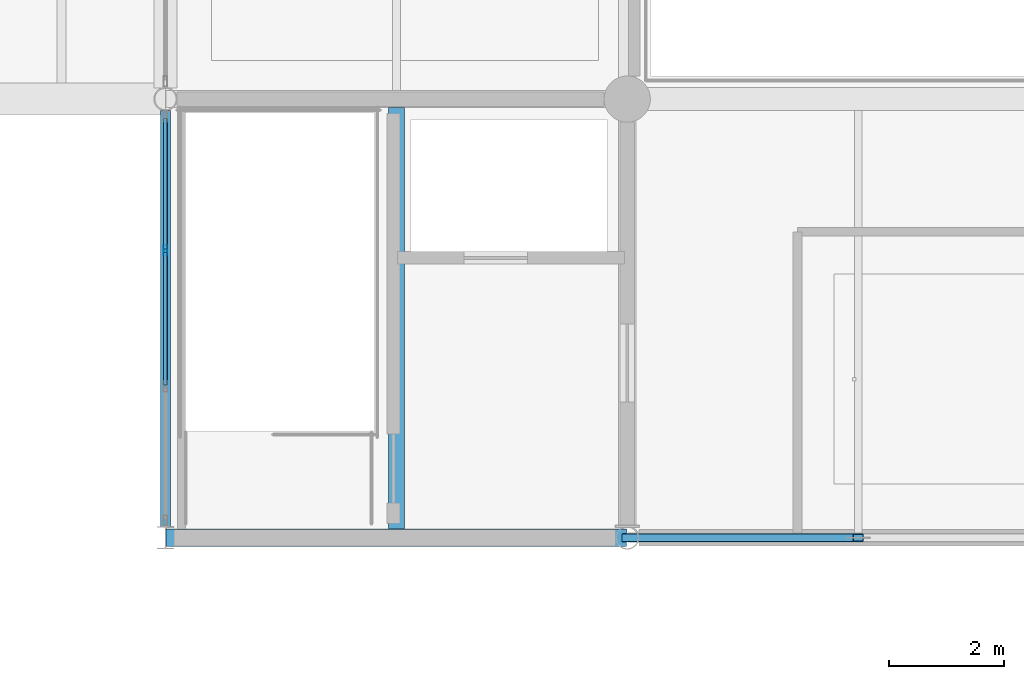
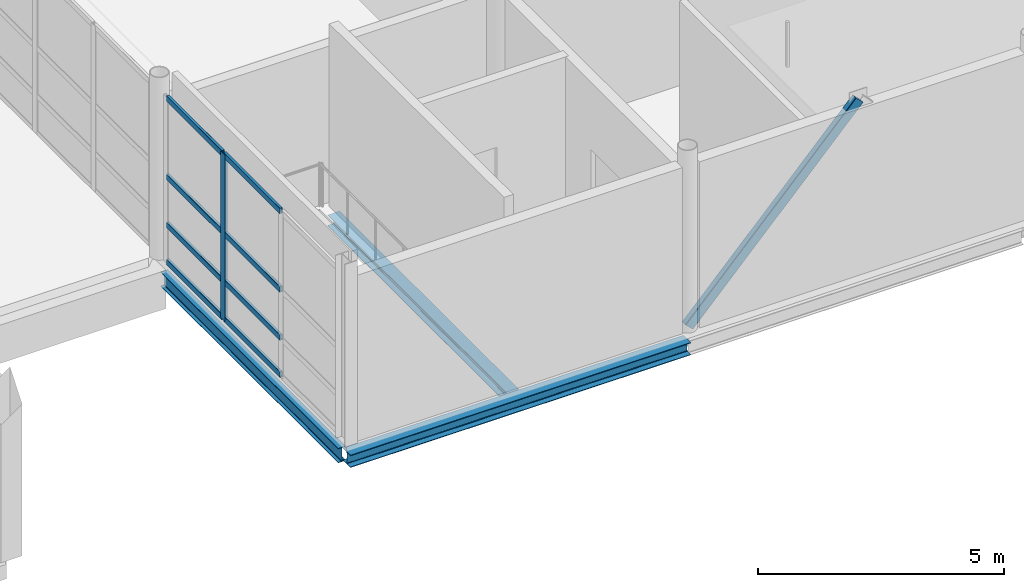
# One storey, part 27 of 107: 10 members, 3 beams, 1 element without a shape of its own.
"""IFC4 building model written with IfcOpenShell, lengths in metres."""

from ifc_helpers import new_model, si_unit, direction, frame, origin, origin_2d, place, context, subcontext, project, spatial, hollow_rectangle, i_section, extrude, material, material_profile, profile_set, type_object, element, aggregate, save


model = new_model("IFC4")

# Units and contexts
model_context = context("Model", 3, precision=1e-05, world=origin(), true_north=direction((0.0, 1.0)))
body_context = subcontext(model_context, "Body", "Model", "MODEL_VIEW")
ifc_project = project(units=[si_unit("LENGTHUNIT", "METRE"), si_unit("AREAUNIT", "SQUARE_METRE"), si_unit("VOLUMEUNIT", "CUBIC_METRE"), si_unit("PLANEANGLEUNIT", "RADIAN"), si_unit("MASSUNIT", "GRAM", prefix="KILO")], contexts=[model_context])

# Site, building, storey
site_placement = place(None, origin())
site = spatial("IfcSite", under=ifc_project, at=site_placement, CompositionType="ELEMENT")
building_placement = place(site_placement, origin())
building = spatial("IfcBuilding", under=site, at=building_placement, Name="Khelvaren Railside Concert Hall", CompositionType="ELEMENT")
storey_placement = place(building_placement, frame((0.0, 0.0, 15.0)))
storey = spatial("IfcBuildingStorey", under=building, at=storey_placement, Name="L03", CompositionType="ELEMENT", Elevation=15.0)

# Member
ifc_material_1 = material(Name="Steel S355", Category="steel")
ifc_material_profile_1 = material_profile(ifc_material_1, hollow_rectangle(XDim=0.14990234375, YDim=0.25, WallThickness=0.012451171875, InnerFilletRadius=0.012451171875, OuterFilletRadius=0.01904296875, at=origin_2d()), Name="RHS 250x150x12.5")
ifc_profile_set_1 = profile_set([ifc_material_profile_1], Name="Steel S355")
member_type_1 = type_object("IfcMemberType", Name="BR52", PredefinedType="BRACE", material=ifc_profile_set_1)
member_1_placement = place(storey_placement, frame((152.0, 0.0, 0.050048828125), z_axis=(0.687079015736, 0.0, 0.726582704263), x_axis=(0.0, 1.0, 0.0)))
element("IfcMember", 1, at=member_1_placement, inside=storey, type_object=member_type_1, Name="V2 L03 Seismic Chevron Brace 55", PredefinedType="BRACE", context=body_context, shape_type="SweptSolid", body=[
    extrude(hollow_rectangle(XDim=0.14990234375, YDim=0.25, WallThickness=0.012451171875, InnerFilletRadius=0.012451171875, OuterFilletRadius=0.01904296875, at=origin_2d()), origin(), (0.0, 0.0, 1.0), 5.82177734375),
])

# Curtain wall, members
ifc_material_2 = material(Name="Double-glazed low-E dark acoustic glass", Category="glass")
curtain_wall_type = type_object("IfcCurtainWallType", Name="CW94", PredefinedType="USERDEFINED", material=ifc_material_2)
curtain_wall_placement = place(storey_placement, origin())
curtain_wall = element("IfcCurtainWall", 2, at=curtain_wall_placement, inside=storey, type_object=curtain_wall_type, Name="Unitised Curtain Wall CW-V2-L03-W-0", ObjectType="UNITISED CURTAIN WALL", PredefinedType="USERDEFINED")
ifc_material_3 = material(Name="Anodised architectural aluminium 6063-T6", Category="aluminium")
ifc_material_profile_2 = material_profile(ifc_material_3, hollow_rectangle(XDim=0.06494140625, YDim=0.179931640625, WallThickness=0.00390625, InnerFilletRadius=0.001953125, OuterFilletRadius=0.00390625, at=origin_2d()), Name="CWM 65x180x4")
ifc_profile_set_2 = profile_set([ifc_material_profile_2], Name="Anodised architectural aluminium 6063-T6")
member_type_2 = type_object("IfcMemberType", Name="CWM63", PredefinedType="MULLION", material=ifc_profile_set_2)
member_2_placement = place(storey_placement, frame((144.0, 4.9736328125, 0.0), z_axis=(0.0, 0.0, 1.0), x_axis=(-1.0, 0.0, 0.0)))
member_2 = element("IfcMember", 3, at=member_2_placement, type_object=member_type_2, Name="CW94 mullion 3", PredefinedType="MULLION", context=body_context, shape_type="SweptSolid", body=[
    extrude(hollow_rectangle(XDim=0.06494140625, YDim=0.179931640625, WallThickness=0.00390625, InnerFilletRadius=0.001953125, OuterFilletRadius=0.00390625, at=origin_2d()), origin(), (0.0, 0.0, 1.0), 4.1201171875),
])
ifc_material_profile_3 = material_profile(ifc_material_3, hollow_rectangle(XDim=0.06494140625, YDim=0.139892578125, WallThickness=0.00390625, InnerFilletRadius=0.001953125, OuterFilletRadius=0.00390625, at=origin_2d()), Name="CWT 65x140x4")
ifc_profile_set_3 = profile_set([ifc_material_profile_3], Name="Anodised architectural aluminium 6063-T6")
member_type_3 = type_object("IfcMemberType", Name="CWT72", PredefinedType="USERDEFINED", material=ifc_profile_set_3)
member_3_placement = place(storey_placement, frame((144.0, 2.650634765625, 0.032470703125), z_axis=(0.0, 1.0, 0.0), x_axis=(-1.0, 0.0, 0.0)))
member_3 = element("IfcMember", 4, at=member_3_placement, type_object=member_type_3, Name="CW94 transom 2.1", ObjectType="TRANSOM", PredefinedType="USERDEFINED", context=body_context, shape_type="SweptSolid", body=[
    extrude(hollow_rectangle(XDim=0.06494140625, YDim=0.139892578125, WallThickness=0.00390625, InnerFilletRadius=0.001953125, OuterFilletRadius=0.00390625, at=origin_2d()), origin(), (0.0, 0.0, 1.0), 2.29052734375),
])
member_4_placement = place(storey_placement, frame((144.0, 2.650634765625, 0.949951171875), z_axis=(0.0, 1.0, 0.0), x_axis=(-1.0, 0.0, 0.0)))
member_4 = element("IfcMember", 5, at=member_4_placement, type_object=member_type_3, Name="CW94 transom 2.2", ObjectType="TRANSOM", PredefinedType="USERDEFINED", context=body_context, shape_type="SweptSolid", body=[
    extrude(hollow_rectangle(XDim=0.06494140625, YDim=0.139892578125, WallThickness=0.00390625, InnerFilletRadius=0.001953125, OuterFilletRadius=0.00390625, at=origin_2d()), origin(), (0.0, 0.0, 1.0), 2.29052734375),
])
member_5_placement = place(storey_placement, frame((144.0, 2.650634765625, 2.142333984375), z_axis=(0.0, 1.0, 0.0), x_axis=(-1.0, 0.0, 0.0)))
member_5 = element("IfcMember", 6, at=member_5_placement, type_object=member_type_3, Name="CW94 transom 2.3", ObjectType="TRANSOM", PredefinedType="USERDEFINED", context=body_context, shape_type="SweptSolid", body=[
    extrude(hollow_rectangle(XDim=0.06494140625, YDim=0.139892578125, WallThickness=0.00390625, InnerFilletRadius=0.001953125, OuterFilletRadius=0.00390625, at=origin_2d()), origin(), (0.0, 0.0, 1.0), 2.29052734375),
])
member_6_placement = place(storey_placement, frame((144.0, 2.650634765625, 4.08740234375), z_axis=(0.0, 1.0, 0.0), x_axis=(-1.0, 0.0, 0.0)))
member_6 = element("IfcMember", 7, at=member_6_placement, type_object=member_type_3, Name="CW94 transom 2.4", ObjectType="TRANSOM", PredefinedType="USERDEFINED", context=body_context, shape_type="SweptSolid", body=[
    extrude(hollow_rectangle(XDim=0.06494140625, YDim=0.139892578125, WallThickness=0.00390625, InnerFilletRadius=0.001953125, OuterFilletRadius=0.00390625, at=origin_2d()), origin(), (0.0, 0.0, 1.0), 2.29052734375),
])
member_7_placement = place(storey_placement, frame((144.0, 5.006103515625, 0.032470703125), z_axis=(0.0, 1.0, 0.0), x_axis=(-1.0, 0.0, 0.0)))
member_7 = element("IfcMember", 8, at=member_7_placement, type_object=member_type_3, Name="CW94 transom 3.1", ObjectType="TRANSOM", PredefinedType="USERDEFINED", context=body_context, shape_type="SweptSolid", body=[
    extrude(hollow_rectangle(XDim=0.06494140625, YDim=0.139892578125, WallThickness=0.00390625, InnerFilletRadius=0.001953125, OuterFilletRadius=0.00390625, at=origin_2d()), origin(), (0.0, 0.0, 1.0), 2.25830078125),
])
member_8_placement = place(storey_placement, frame((144.0, 5.006103515625, 0.949951171875), z_axis=(0.0, 1.0, 0.0), x_axis=(-1.0, 0.0, 0.0)))
member_8 = element("IfcMember", 9, at=member_8_placement, type_object=member_type_3, Name="CW94 transom 3.2", ObjectType="TRANSOM", PredefinedType="USERDEFINED", context=body_context, shape_type="SweptSolid", body=[
    extrude(hollow_rectangle(XDim=0.06494140625, YDim=0.139892578125, WallThickness=0.00390625, InnerFilletRadius=0.001953125, OuterFilletRadius=0.00390625, at=origin_2d()), origin(), (0.0, 0.0, 1.0), 2.25830078125),
])
member_9_placement = place(storey_placement, frame((144.0, 5.006103515625, 2.142333984375), z_axis=(0.0, 1.0, 0.0), x_axis=(-1.0, 0.0, 0.0)))
member_9 = element("IfcMember", 10, at=member_9_placement, type_object=member_type_3, Name="CW94 transom 3.3", ObjectType="TRANSOM", PredefinedType="USERDEFINED", context=body_context, shape_type="SweptSolid", body=[
    extrude(hollow_rectangle(XDim=0.06494140625, YDim=0.139892578125, WallThickness=0.00390625, InnerFilletRadius=0.001953125, OuterFilletRadius=0.00390625, at=origin_2d()), origin(), (0.0, 0.0, 1.0), 2.25830078125),
])
member_10_placement = place(storey_placement, frame((144.0, 5.006103515625, 4.08740234375), z_axis=(0.0, 1.0, 0.0), x_axis=(-1.0, 0.0, 0.0)))
member_10 = element("IfcMember", 11, at=member_10_placement, type_object=member_type_3, Name="CW94 transom 3.4", ObjectType="TRANSOM", PredefinedType="USERDEFINED", context=body_context, shape_type="SweptSolid", body=[
    extrude(hollow_rectangle(XDim=0.06494140625, YDim=0.139892578125, WallThickness=0.00390625, InnerFilletRadius=0.001953125, OuterFilletRadius=0.00390625, at=origin_2d()), origin(), (0.0, 0.0, 1.0), 2.25830078125),
])
aggregate(curtain_wall, [member_2, member_3, member_4, member_5, member_6, member_7, member_8, member_9, member_10])

# Beams
ifc_material_profile_4 = material_profile(ifc_material_1, i_section(OverallWidth=0.280029296875, OverallDepth=0.27001953125, WebThickness=0.008056640625, FlangeThickness=0.012939453125, FilletRadius=0.02392578125, at=origin_2d()), Name="HEA 280")
ifc_profile_set_4 = profile_set([ifc_material_profile_4], Name="Steel S355")
beam_type_1 = type_object("IfcBeamType", Name="JS46", PredefinedType="JOIST", material=ifc_profile_set_4)
beam_1_placement = place(storey_placement, frame((148.0, 0.14990234375, -0.4150390625), z_axis=(0.0, 1.0, 0.0), x_axis=(-1.0, 0.0, 0.0)))
element("IfcBeam", 12, at=beam_1_placement, inside=storey, type_object=beam_type_1, Name="V2 L03 Secondary Joist 1.1", PredefinedType="JOIST", context=body_context, shape_type="SweptSolid", body=[
    extrude(i_section(OverallWidth=0.280029296875, OverallDepth=0.27001953125, WebThickness=0.008056640625, FlangeThickness=0.012939453125, FilletRadius=0.02392578125, at=origin_2d()), origin(), (0.0, 0.0, 1.0), 7.300048828125),
])
ifc_material_profile_5 = material_profile(ifc_material_1, i_section(OverallWidth=0.300048828125, OverallDepth=0.31005859375, WebThickness=0.009033203125, FlangeThickness=0.015380859375, FilletRadius=0.027099609375, at=origin_2d()), Name="HEA 320")
ifc_profile_set_5 = profile_set([ifc_material_profile_5], Name="Steel S355")
beam_type_2 = type_object("IfcBeamType", Name="SP66", PredefinedType="SPANDREL", material=ifc_profile_set_5)
beam_2_placement = place(storey_placement, frame((144.010009765625, 0.0, -0.43505859375), z_axis=(1.0, 0.0, 0.0), x_axis=(0.0, 1.0, 0.0)))
element("IfcBeam", 13, at=beam_2_placement, inside=storey, type_object=beam_type_2, Name="V2 L03 Spandrel X1.1", PredefinedType="SPANDREL", context=body_context, shape_type="SweptSolid", body=[
    extrude(i_section(OverallWidth=0.300048828125, OverallDepth=0.31005859375, WebThickness=0.009033203125, FlangeThickness=0.015380859375, FilletRadius=0.027099609375, at=origin_2d()), origin(), (0.0, 0.0, 1.0), 7.97998046875),
])
ifc_material_profile_6 = material_profile(ifc_material_1, i_section(OverallWidth=0.169921875, OverallDepth=0.360107421875, WebThickness=0.008056640625, FlangeThickness=0.0126953125, FilletRadius=0.01806640625, at=origin_2d()), Name="IPE 360")
ifc_profile_set_6 = profile_set([ifc_material_profile_6], Name="Steel S355")
beam_type_3 = type_object("IfcBeamType", Name="SP74", PredefinedType="SPANDREL", material=ifc_profile_set_6)
beam_3_placement = place(storey_placement, frame((144.0, 0.179931640625, -0.4599609375), z_axis=(0.0, 1.0, 0.0), x_axis=(-1.0, 0.0, 0.0)))
element("IfcBeam", 14, at=beam_3_placement, inside=storey, type_object=beam_type_3, Name="V2 L03 Spandrel Y1.1", PredefinedType="SPANDREL", context=body_context, shape_type="SweptSolid", body=[
    extrude(i_section(OverallWidth=0.169921875, OverallDepth=0.360107421875, WebThickness=0.008056640625, FlangeThickness=0.0126953125, FilletRadius=0.01806640625, at=origin_2d()), origin(), (0.0, 0.0, 1.0), 7.22509765625),
])

save(model, "model.ifc")
